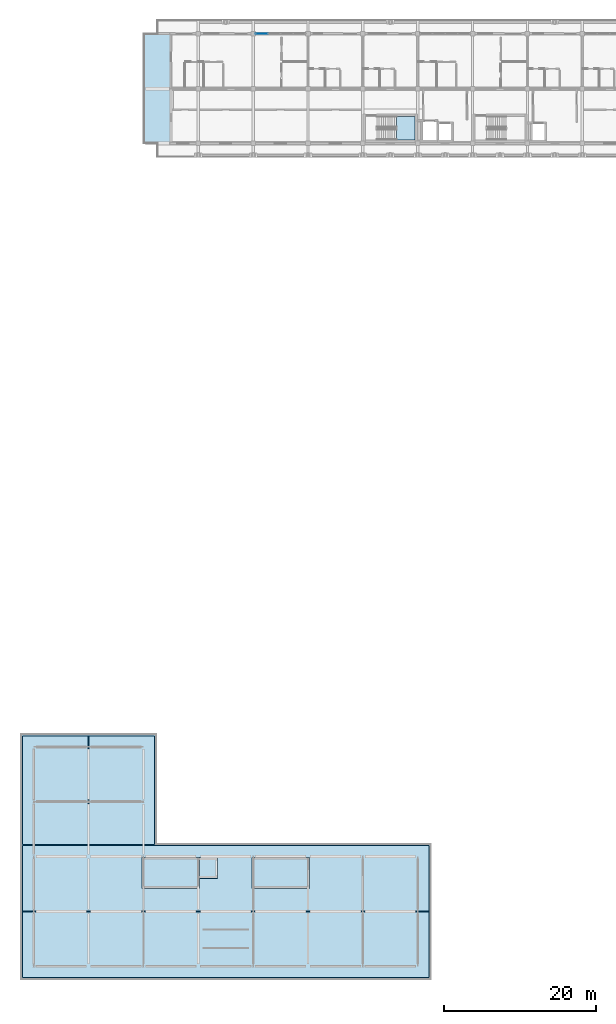
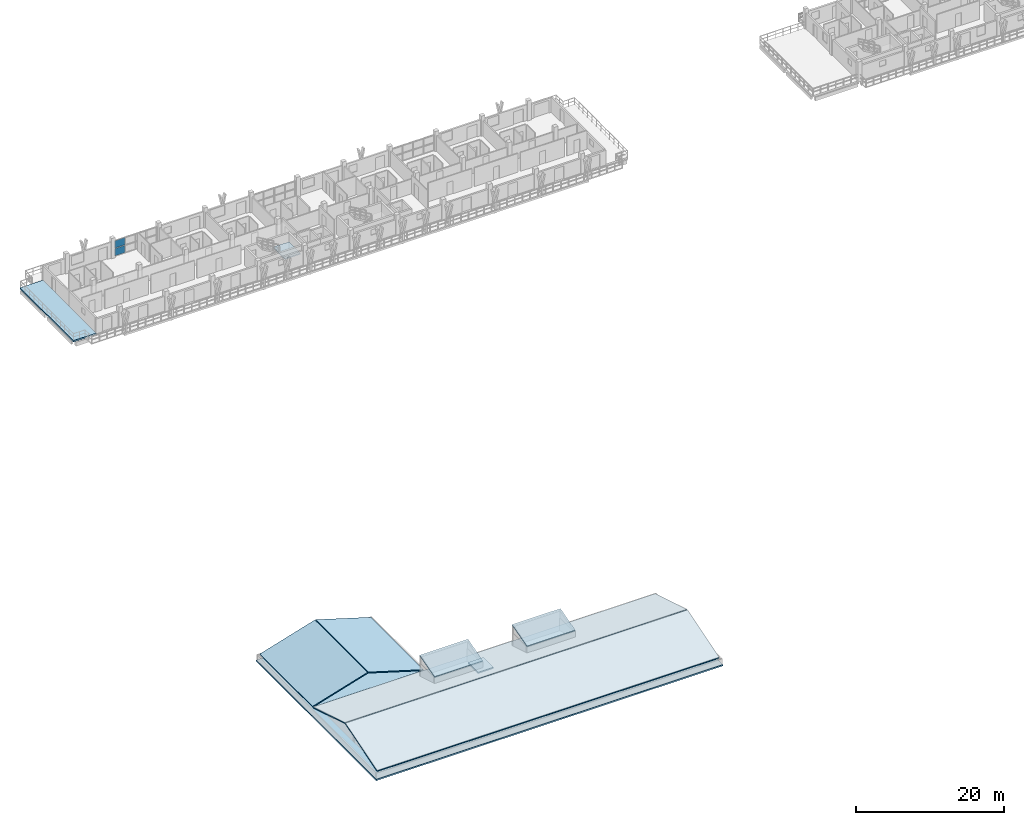
# One storey, part 29 of 60: 10 slabs, 2 plates, 2 elements without a shape of their own.
"""IFC4 building model written with IfcOpenShell, lengths in metres."""

from ifc_helpers import new_model, si_unit, direction, frame, origin, origin_2d, place, context, subcontext, project, spatial, polyline, rectangle, outline, extrude, material, layer, layer_set, type_object, element, aggregate, save


model = new_model("IFC4")

# Units and contexts
model_context = context("Model", 3, precision=1e-05, world=origin(), true_north=direction((0.0, 1.0)))
body_context = subcontext(model_context, "Body", "Model", "MODEL_VIEW")
ifc_project = project(units=[si_unit("LENGTHUNIT", "METRE"), si_unit("AREAUNIT", "SQUARE_METRE"), si_unit("VOLUMEUNIT", "CUBIC_METRE"), si_unit("PLANEANGLEUNIT", "RADIAN"), si_unit("MASSUNIT", "GRAM", prefix="KILO")], contexts=[model_context])

# Site, building, storey
site_placement = place(None, origin())
site = spatial("IfcSite", under=ifc_project, at=site_placement, CompositionType="ELEMENT")
building_placement = place(site_placement, origin())
building = spatial("IfcBuilding", under=site, at=building_placement, Name="Suanplinth Sawtooth Commons", CompositionType="ELEMENT")
storey_placement = place(building_placement, frame((0.0, 0.0, 31.5)))
storey = spatial("IfcBuildingStorey", under=building, at=storey_placement, Name="L09", CompositionType="ELEMENT", Elevation=31.5)

# Curtain wall, plates
ifc_material_1 = material(Name="Anodized aluminium and low-E glazing", Category="aluminium")
curtain_wall_type = type_object("IfcCurtainWallType", Name="CW-06", PredefinedType="USERDEFINED", material=ifc_material_1)
curtain_wall_placement = place(storey_placement, origin())
curtain_wall = element("IfcCurtainWall", 1, at=curtain_wall_placement, inside=storey, type_object=curtain_wall_type, Name="Curtain Wall CW-L09-A-LOUNGE-2", ObjectType="CURTAIN WALL", PredefinedType="USERDEFINED")
ifc_material_2 = material(Name="Tempered low-E double glazing", Category="glass")
ifc_layer_1 = layer(ifc_material_2, 0.028076171875, Name="Vision low-E insulated glazing unit 28mm")
ifc_layer_set_1 = layer_set([ifc_layer_1], Name="Tempered low-E double glazing")
plate_type = type_object("IfcPlateType", Name="PL-05", PredefinedType="CURTAIN_PANEL", material=ifc_layer_set_1)
plate_1_placement = place(storey_placement, frame((29.941162109375, 122.39990234375, 0.06494140625), z_axis=(0.0, 0.0, 1.0), x_axis=(1.0, 0.0, 0.0)))
plate_1 = element("IfcPlate", 2, at=plate_1_placement, type_object=plate_type, Name="CW-06 panel 1.1", PredefinedType="CURTAIN_PANEL", context=body_context, shape_type="SweptSolid", body=[
    extrude(rectangle(XDim=1.552490234375, YDim=0.028076171875, at=origin_2d()), origin(), (0.0, 0.0, 1.0), 1.217529296875),
])
plate_2_placement = place(storey_placement, frame((29.941162109375, 122.39990234375, 1.34765625), z_axis=(0.0, 0.0, 1.0), x_axis=(1.0, 0.0, 0.0)))
plate_2 = element("IfcPlate", 3, at=plate_2_placement, type_object=plate_type, Name="CW-06 panel 1.2", PredefinedType="CURTAIN_PANEL", context=body_context, shape_type="SweptSolid", body=[
    extrude(rectangle(XDim=1.552490234375, YDim=0.028076171875, at=origin_2d()), origin(), (0.0, 0.0, 1.0), 1.217529296875),
])
aggregate(curtain_wall, [plate_1, plate_2])

# Stair, slab
ifc_material_3 = material(Name="Concrete C40/50", Category="concrete")
stair_type = type_object("IfcStairType", Name="ST-04", PredefinedType="USERDEFINED", material=ifc_material_3)
stair_placement = place(storey_placement, origin())
stair = element("IfcStair", 4, at=stair_placement, inside=storey, type_object=stair_type, Name="L09 Exit Stair ST-N1", ObjectType="TWO_RETURN_STAIR", PredefinedType="USERDEFINED")
ifc_layer_2 = layer(ifc_material_3, 0.199951171875, Name="Reinforced concrete stair and ramp landing slab 200mm")
ifc_layer_set_2 = layer_set([ifc_layer_2], Name="Concrete C40/50")
slab_type_1 = type_object("IfcSlabType", Name="S-LD01", PredefinedType="LANDING", material=ifc_layer_set_2)
slab_1_placement = place(storey_placement, frame((0.0, 0.0, 1.449951171875)))
slab_1 = element("IfcSlab", 5, at=slab_1_placement, type_object=slab_type_1, Name="ST-04 landing 1", PredefinedType="LANDING", context=body_context, shape_type="SweptSolid", body=[
    extrude(outline(polyline([(47.614990234375, 108.449951171875), (50.050048828125, 108.449951171875), (50.050048828125, 111.550048828125), (47.614990234375, 111.550048828125), (47.614990234375, 108.449951171875)])), origin(), (0.0, 0.0, 1.0), 0.199951171875),
])
aggregate(stair, [slab_1])

# Slabs
ifc_layer_3 = layer(ifc_material_3, 0.22998046875, Name="Reinforced concrete lift overrun roof slab 230mm")
ifc_layer_set_3 = layer_set([ifc_layer_3], Name="Concrete C40/50")
slab_type_2 = type_object("IfcSlabType", Name="S-OR01", PredefinedType="ROOF", material=ifc_layer_set_3)
slab_2_placement = place(storey_placement, frame((0.0, 0.0, 1.050048828125)))
element("IfcSlab", 6, at=slab_2_placement, inside=storey, type_object=slab_type_2, Name="Lift Overrun Roof Slab LF6", PredefinedType="ROOF", context=body_context, shape_type="SweptSolid", body=[
    extrude(outline(polyline([(21.764892578125, 11.550048828125), (24.14990234375, 11.550048828125), (24.14990234375, 14.25), (21.764892578125, 14.25), (21.764892578125, 11.550048828125)])), origin(), (0.0, 0.0, 1.0), 0.22998046875),
])
ifc_material_4 = material(Name="Precast concrete C40/50", Category="concrete")
ifc_layer_4 = layer(ifc_material_4, 0.239990234375, Name="Residential block insulated roof slab 240mm")
ifc_layer_set_4 = layer_set([ifc_layer_4], Name="Precast concrete C40/50")
slab_type_3 = type_object("IfcSlabType", Name="S-RF01", PredefinedType="ROOF", material=ifc_layer_set_4)
slab_3_placement = place(storey_placement, frame((0.0, 0.0, -0.239990234375)))
element("IfcSlab", 7, at=slab_3_placement, inside=storey, type_object=slab_type_3, Name="L09 Block D Tropical Overhanging Roof Slab", PredefinedType="ROOF", context=body_context, shape_type="SweptSolid", body=[
    extrude(outline(polyline([(-1.800048828125, -1.800048828125), (-1.800048828125, 30.60009765625), (16.199951171875, 30.60009765625), (16.199951171875, 16.199951171875), (52.199951171875, 16.199951171875), (52.199951171875, -1.800048828125), (-1.800048828125, -1.800048828125)])), origin(), (0.0, 0.0, 1.0), 0.239990234375),
])
ifc_material_5 = material(Name="Concrete C35/45", Category="concrete")
ifc_layer_5 = layer(ifc_material_5, 0.159912109375, Name="Market gable & breezeway canopy roof slab 160mm")
ifc_layer_set_5 = layer_set([ifc_layer_5], Name="Concrete C35/45")
slab_type_4 = type_object("IfcSlabType", Name="S-RF03", PredefinedType="ROOF", material=ifc_layer_set_5)
slab_4_placement = place(storey_placement, frame((-1.449951171875, -1.449951171875, 1.090087890625), z_axis=(0.0, -0.290709251119, 0.956811439791), x_axis=(1.0, 0.0, 0.0)))
element("IfcSlab", 8, at=slab_4_placement, inside=storey, type_object=slab_type_4, Name="L09 Block D Tropical Crown South Slope", PredefinedType="ROOF", context=body_context, shape_type="SweptSolid", body=[
    extrude(outline(polyline([(0.0, 0.0), (53.300048828125, 0.0), (53.300048828125, 8.977572166027464), (0.0, 8.977572166027464), (0.0, 0.0)])), origin(), (0.0, 0.0, -1.0), 0.159912109375),
])
slab_5_placement = place(storey_placement, frame((-1.449951171875, 15.85009765625, 1.090087890625), z_axis=(0.0, 0.290701687048, 0.956813737959), x_axis=(1.0, 0.0, 0.0)))
element("IfcSlab", 9, at=slab_5_placement, inside=storey, type_object=slab_type_4, Name="L09 Block D Tropical Crown North Slope", PredefinedType="ROOF", context=body_context, shape_type="SweptSolid", body=[
    extrude(outline(polyline([(0.0, 0.0), (53.300048828125, 0.0), (53.300048828125, -8.977805762850926), (0.0, -8.977805762850926), (0.0, 0.0)])), origin(), (0.0, 0.0, -1.0), 0.159912109375),
])
slab_6_placement = place(storey_placement, frame((-1.449951171875, 16.0, 1.090087890625), z_axis=(-0.290709251119, 0.0, 0.956811439791), x_axis=(0.0, 1.0, 0.0)))
element("IfcSlab", 10, at=slab_6_placement, inside=storey, type_object=slab_type_4, Name="L09 Block D Return Wing Crown West Slope", PredefinedType="ROOF", context=body_context, shape_type="SweptSolid", body=[
    extrude(outline(polyline([(0.0, 0.0), (14.25, 0.0), (14.25, -8.977572166027468), (0.0, -8.977572166027468), (0.0, 0.0)])), origin(), (0.0, 0.0, -1.0), 0.159912109375),
])
slab_7_placement = place(storey_placement, frame((15.85009765625, 16.0, 1.090087890625), z_axis=(0.290701687048, 0.0, 0.956813737959), x_axis=(0.0, 1.0, 0.0)))
element("IfcSlab", 11, at=slab_7_placement, inside=storey, type_object=slab_type_4, Name="L09 Block D Return Wing Crown East Slope", PredefinedType="ROOF", context=body_context, shape_type="SweptSolid", body=[
    extrude(outline(polyline([(0.0, 0.0), (14.25, 0.0), (14.25, 8.977805762850926), (0.0, 8.977805762850926), (0.0, 0.0)])), origin(), (0.0, 0.0, -1.0), 0.159912109375),
])
slab_8_placement = place(storey_placement, frame((14.235107421875, 10.235107421875, 3.97998046875), z_axis=(0.0, -0.267806429236, 0.963472737788), x_axis=(1.0, 0.0, 0.0)))
element("IfcSlab", 12, at=slab_8_placement, inside=storey, type_object=slab_type_4, Name="Stair ST-W1 Roof Headhouse Roof", PredefinedType="ROOF", context=body_context, shape_type="SweptSolid", body=[
    extrude(outline(polyline([(0.0, 0.0), (7.52978515625, 0.0), (7.52978515625, 4.182562721498119), (0.0, 4.182562721498119), (0.0, 0.0)])), origin(), (0.0, 0.0, -1.0), 0.159912109375),
])
slab_9_placement = place(storey_placement, frame((28.635009765625, 10.235107421875, 3.97998046875), z_axis=(0.0, -0.267806429236, 0.963472737788), x_axis=(1.0, 0.0, 0.0)))
element("IfcSlab", 13, at=slab_9_placement, inside=storey, type_object=slab_type_4, Name="Stair ST-W2 Roof Headhouse Roof", PredefinedType="ROOF", context=body_context, shape_type="SweptSolid", body=[
    extrude(outline(polyline([(0.0, 0.0), (7.530029296875, 0.0), (7.530029296875, 4.182562721498119), (0.0, 4.182562721498119), (0.0, 0.0)])), origin(), (0.0, 0.0, -1.0), 0.159912109375),
])
ifc_layer_6 = layer(ifc_material_3, 0.239990234375, Name="Stepped sky-terrace & courtyard garden slab 240mm")
ifc_layer_set_6 = layer_set([ifc_layer_6], Name="Concrete C40/50")
slab_type_5 = type_object("IfcSlabType", Name="S-TR01", PredefinedType="FLOOR", material=ifc_layer_set_6)
slab_10_placement = place(storey_placement, frame((0.0, 0.0, -0.239990234375)))
element("IfcSlab", 14, at=slab_10_placement, inside=storey, type_object=slab_type_5, Name="L09 Block A Stepped Sky-Terrace 1", PredefinedType="FLOOR", context=body_context, shape_type="SweptSolid", body=[
    extrude(outline(polyline([(14.39990234375, 108.0), (14.39990234375, 122.39990234375), (18.0, 122.39990234375), (18.0, 108.0), (14.39990234375, 108.0)])), origin(), (0.0, 0.0, 1.0), 0.239990234375),
])

save(model, "model.ifc")
